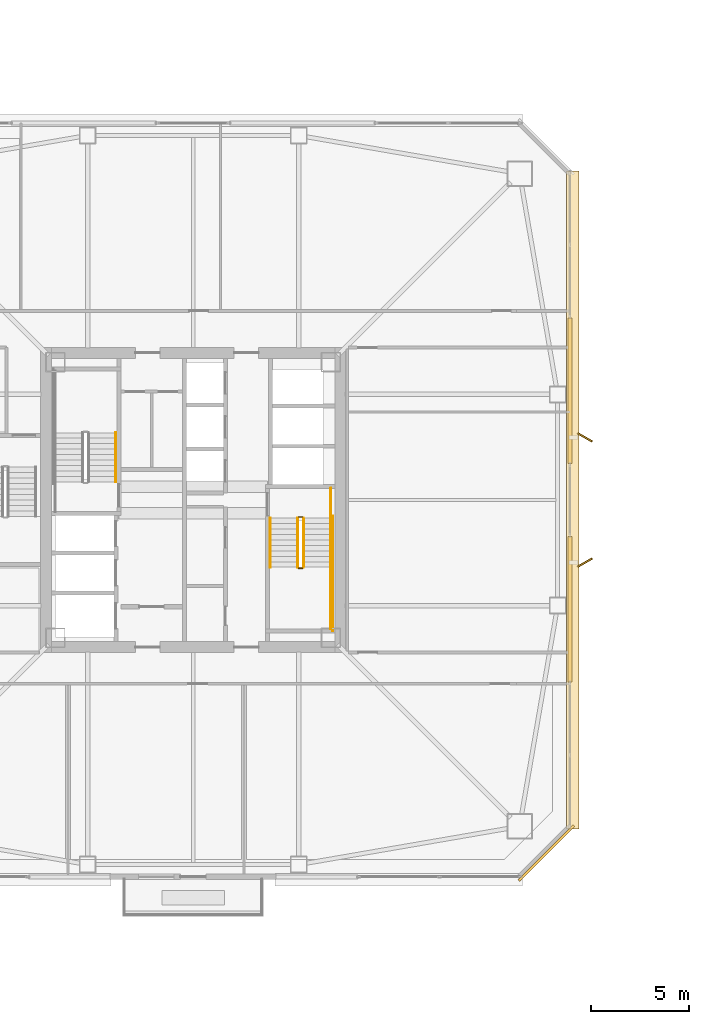
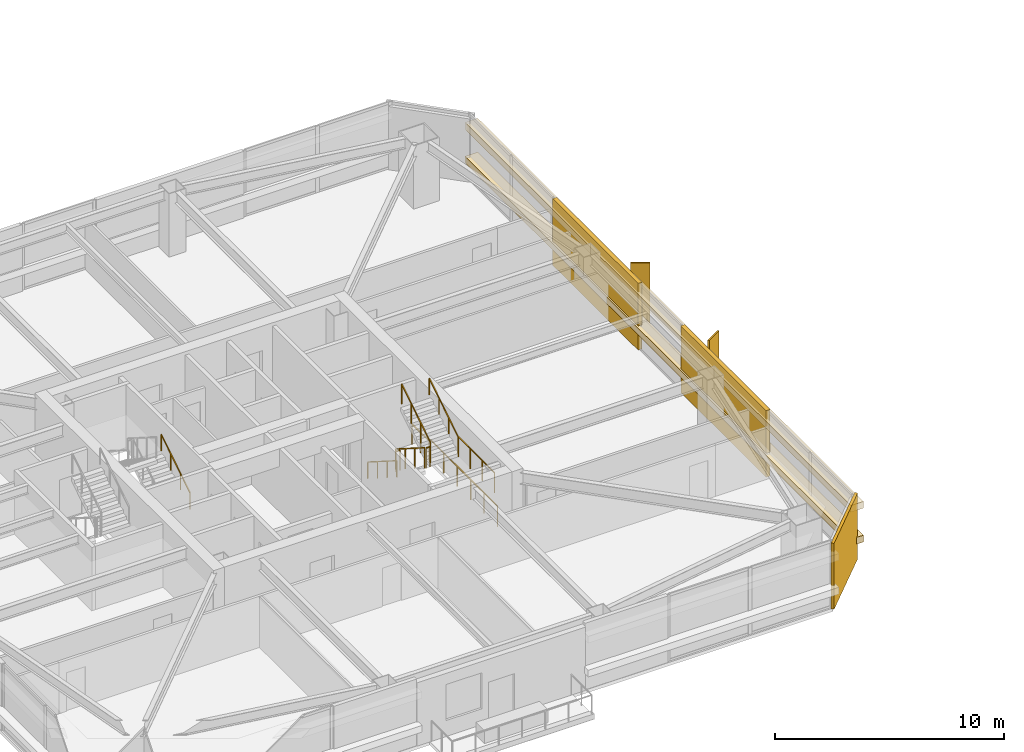
# One storey, part 44 of 48: 10 railings, 5 coverings, 2 shading devices.
"""IFC4 building model written with IfcOpenShell, lengths in metres."""

from ifc_helpers import new_model, si_unit, direction, frame, origin, origin_2d, place, context, subcontext, project, spatial, rectangle, extrude, material, layer, layer_set, type_object, element, save


model = new_model("IFC4")

# Units and contexts
model_context = context("Model", 3, precision=1e-05, world=origin(), true_north=direction((0.0, 1.0)))
body_context = subcontext(model_context, "Body", "Model", "MODEL_VIEW")
ifc_project = project(units=[si_unit("LENGTHUNIT", "METRE"), si_unit("AREAUNIT", "SQUARE_METRE"), si_unit("VOLUMEUNIT", "CUBIC_METRE"), si_unit("PLANEANGLEUNIT", "RADIAN"), si_unit("MASSUNIT", "GRAM", prefix="KILO")], contexts=[model_context])

# Site, building, storey
site_placement = place(None, origin())
site = spatial("IfcSite", under=ifc_project, at=site_placement, CompositionType="ELEMENT")
building_placement = place(site_placement, origin())
building = spatial("IfcBuilding", under=site, at=building_placement, Name="Tashvorn Skyway Center", CompositionType="ELEMENT")
storey_placement = place(building_placement, frame((0.0, 0.0, 125.050048828125)))
storey = spatial("IfcBuildingStorey", under=building, at=storey_placement, Name="L33", CompositionType="ELEMENT", Elevation=125.050048828125)

# Coverings
ifc_material_1 = material(Name="Precast concrete C40/50", Category="concrete")
ifc_layer_1 = layer(ifc_material_1, 0.199951171875)
ifc_layer_set_1 = layer_set([ifc_layer_1], Name="Precast concrete C40/50")
covering_type_1 = type_object("IfcCoveringType", Name="COV-BRACE-CLAD", PredefinedType="CLADDING", material=ifc_layer_set_1)
for number, where, z_axis, x_axis, name in (
    (1, (61.280029296875, 37.59326171875, 0.0), (0.0, 0.0, 1.0), (0.0, -1.0, 0.0), "Tower 1 L33 East Unitised Curtain Wall Mega-Brace Cladding Band 1"),
    (2, (61.280029296875, 26.40673828125, 0.0), (0.0, 0.0, 1.0), (0.0, -1.0, 0.0), "Tower 1 L33 East Unitised Curtain Wall Mega-Brace Cladding Band 2"),
):
    element("IfcCovering", number, at=place(storey_placement, frame(where, z_axis=z_axis, x_axis=x_axis)), inside=storey, type_object=covering_type_1, Name=name, PredefinedType="CLADDING", context=body_context, shape_type="SweptSolid", body=[
        extrude(rectangle(XDim=7.457763671875, YDim=0.199951171875, at=origin_2d()), origin(), (0.0, 0.0, 1.0), 3.550048828125),
    ])
ifc_material_2 = material(Name="Perforated ceramic-coated bronze aluminium solar screen", Category="aluminium")
ifc_layer_2 = layer(ifc_material_2, 0.85009765625)
ifc_layer_set_2 = layer_set([ifc_layer_2], Name="Perforated ceramic-coated bronze aluminium solar screen")
covering_type_2 = type_object("IfcCoveringType", Name="COV-SOLAR-BAND", PredefinedType="CLADDING", material=ifc_layer_set_2)
for number, where, z_axis, x_axis, name in (
    (3, (61.419921875, 32.0, 0.919921875), (0.0, 0.0, 1.0), (0.0, -1.0, 0.0), "L33 Perforated Ceramic-Metal Solar Screen Louvre Band East 1"),
    (4, (61.419921875, 32.0, 2.7197265625), (0.0, 0.0, 1.0), (0.0, -1.0, 0.0), "L33 Perforated Ceramic-Metal Solar Screen Louvre Band East 2"),
):
    element("IfcCovering", number, at=place(storey_placement, frame(where, z_axis=z_axis, x_axis=x_axis)), inside=storey, type_object=covering_type_2, Name=name, PredefinedType="CLADDING", context=body_context, shape_type="SweptSolid", body=[
        extrude(rectangle(XDim=33.679931640625, YDim=0.639892578125, at=origin_2d()), origin(), (0.0, 0.0, 1.0), 0.360107421875),
    ])
ifc_layer_3 = layer(ifc_material_1, 0.35009765625)
ifc_layer_set_3 = layer_set([ifc_layer_3], Name="Precast concrete C40/50")
covering_type_3 = type_object("IfcCoveringType", Name="COV-STONE-TRIM", PredefinedType="CLADDING", material=ifc_layer_set_3)
covering_placement = place(storey_placement, frame((60.070068359375, 13.929931640625, 0.02001953125), z_axis=(0.0, 0.0, 1.0), x_axis=(0.707106781187, 0.707106781187, 0.0)))
element("IfcCovering", 5, at=covering_placement, inside=storey, type_object=covering_type_3, Name="Tower 1 L33 SE Mojave Limestone Corner Quoin", PredefinedType="CLADDING", context=body_context, shape_type="SweptSolid", body=[
    extrude(rectangle(XDim=3.978515625, YDim=0.139892578125, at=origin_2d()), origin(), (0.0, 0.0, 1.0), 3.510009765625),
])

# Railings
ifc_material_3 = material(Name="Brushed stainless steel 316", Category="steel")
railing_type_1 = type_object("IfcRailingType", Name="RAIL-HAND-920", PredefinedType="HANDRAIL", material=ifc_material_3)
railing_1_placement = place(storey_placement, frame((38.050048828125, 32.919921875, 0.177490234375)))
element("IfcRailing", 6, at=railing_1_placement, inside=storey, type_object=railing_type_1, Name="L33 ST-T1-1 stair handrail 1", PredefinedType="HANDRAIL", context=body_context, shape_type="SweptSolid", body=[
    extrude(rectangle(XDim=0.048095703125, YDim=0.048095703125, at=origin_2d()), frame((0.0, 0.0, 0.8759765625), z_axis=(0.0, 0.84460694969, 0.535386869969), x_axis=(-1.0, 0.0, 0.0)), (0.0, 0.0, 1.0), 2.983642578125),
    extrude(rectangle(XDim=0.0419921875, YDim=0.0419921875, at=origin_2d()), origin(), (0.0, 0.0, 1.0), 0.851806640625),
    extrude(rectangle(XDim=0.0419921875, YDim=0.0419921875, at=origin_2d()), frame((0.0, 0.840087890625, 0.532470703125)), (0.0, 0.0, 1.0), 0.851806640625),
    extrude(rectangle(XDim=0.0419921875, YDim=0.0419921875, at=origin_2d()), frame((0.0, 1.679931640625, 1.06494140625)), (0.0, 0.0, 1.0), 0.851806640625),
    extrude(rectangle(XDim=0.0419921875, YDim=0.0419921875, at=origin_2d()), frame((0.0, 2.52001953125, 1.597412109375)), (0.0, 0.0, 1.0), 0.851806640625),
])
railing_2_placement = place(storey_placement, frame((45.949951171875, 31.080078125, 0.177490234375)))
element("IfcRailing", 7, at=railing_2_placement, inside=storey, type_object=railing_type_1, Name="L33 ST-T1-2 stair handrail 1", PredefinedType="HANDRAIL", context=body_context, shape_type="SweptSolid", body=[
    extrude(rectangle(XDim=0.048095703125, YDim=0.048095703125, at=origin_2d()), frame((0.0, 0.0, 0.8759765625), z_axis=(0.0, -0.84460694969, 0.535386869969), x_axis=(1.0, 0.0, 0.0)), (0.0, 0.0, 1.0), 2.983642578125),
    extrude(rectangle(XDim=0.0419921875, YDim=0.0419921875, at=origin_2d()), origin(), (0.0, 0.0, 1.0), 0.851806640625),
    extrude(rectangle(XDim=0.0419921875, YDim=0.0419921875, at=origin_2d()), frame((0.0, -0.840087890625, 0.532470703125)), (0.0, 0.0, 1.0), 0.851806640625),
    extrude(rectangle(XDim=0.0419921875, YDim=0.0419921875, at=origin_2d()), frame((0.0, -1.679931640625, 1.06494140625)), (0.0, 0.0, 1.0), 0.851806640625),
    extrude(rectangle(XDim=0.0419921875, YDim=0.0419921875, at=origin_2d()), frame((0.0, -2.52001953125, 1.597412109375)), (0.0, 0.0, 1.0), 0.851806640625),
])
railing_3_placement = place(storey_placement, frame((49.050048828125, 28.56005859375, 1.952392578125)))
element("IfcRailing", 8, at=railing_3_placement, inside=storey, type_object=railing_type_1, Name="L33 ST-T1-2 stair handrail 2", PredefinedType="HANDRAIL", context=body_context, shape_type="SweptSolid", body=[
    extrude(rectangle(XDim=0.048095703125, YDim=0.048095703125, at=origin_2d()), frame((0.0, 0.0, 0.8759765625), z_axis=(0.0, 0.84456994832, 0.535445237532), x_axis=(-1.0, 0.0, 0.0)), (0.0, 0.0, 1.0), 2.98388671875),
    extrude(rectangle(XDim=0.0419921875, YDim=0.0419921875, at=origin_2d()), origin(), (0.0, 0.0, 1.0), 0.851806640625),
    extrude(rectangle(XDim=0.0419921875, YDim=0.0419921875, at=origin_2d()), frame((0.0, 0.840087890625, 0.532470703125)), (0.0, 0.0, 1.0), 0.851806640625),
    extrude(rectangle(XDim=0.0419921875, YDim=0.0419921875, at=origin_2d()), frame((0.0, 1.679931640625, 1.065185546875)), (0.0, 0.0, 1.0), 0.851806640625),
    extrude(rectangle(XDim=0.0419921875, YDim=0.0419921875, at=origin_2d()), frame((0.0, 2.52001953125, 1.59765625)), (0.0, 0.0, 1.0), 0.851806640625),
])
ifc_material_4 = material(Name="Painted galvanized steel S355", Category="steel")
railing_type_2 = type_object("IfcRailingType", Name="RAIL-STGUARD-1100", PredefinedType="GUARDRAIL", material=ifc_material_4)
railing_4_placement = place(storey_placement, frame((47.35009765625, 31.080078125, 0.177490234375)))
element("IfcRailing", 9, at=railing_4_placement, inside=storey, type_object=railing_type_2, Name="L33 ST-T1-2 stair guard 1", PredefinedType="GUARDRAIL", context=body_context, shape_type="SweptSolid", body=[
    extrude(rectangle(XDim=0.048095703125, YDim=0.048095703125, at=origin_2d()), frame((0.0, 0.0, 1.076171875), z_axis=(0.0, -0.84460694969, 0.535386869969), x_axis=(1.0, 0.0, 0.0)), (0.0, 0.0, 1.0), 2.983642578125),
    extrude(rectangle(XDim=0.0419921875, YDim=0.0419921875, at=origin_2d()), origin(), (0.0, 0.0, 1.0), 1.052001953125),
    extrude(rectangle(XDim=0.0419921875, YDim=0.0419921875, at=origin_2d()), frame((0.0, -0.840087890625, 0.532470703125)), (0.0, 0.0, 1.0), 1.052001953125),
    extrude(rectangle(XDim=0.0419921875, YDim=0.0419921875, at=origin_2d()), frame((0.0, -1.679931640625, 1.06494140625)), (0.0, 0.0, 1.0), 1.052001953125),
    extrude(rectangle(XDim=0.0419921875, YDim=0.0419921875, at=origin_2d()), frame((0.0, -2.52001953125, 1.597412109375)), (0.0, 0.0, 1.0), 1.052001953125),
])
railing_5_placement = place(storey_placement, frame((47.39990234375, 28.510009765625, 1.77490234375)))
element("IfcRailing", 10, at=railing_5_placement, inside=storey, type_object=railing_type_2, Name="L33 ST-T1-2 stair guard 2", PredefinedType="GUARDRAIL", context=body_context, shape_type="SweptSolid", body=[
    extrude(rectangle(XDim=0.048095703125, YDim=0.048095703125, at=origin_2d()), frame((0.0, 0.0, 1.076171875), z_axis=(1.0, 0.0, 0.0), x_axis=(0.0, 1.0, 0.0)), (0.0, 0.0, 1.0), 0.2001953125),
    extrude(rectangle(XDim=0.0419921875, YDim=0.0419921875, at=origin_2d()), origin(), (0.0, 0.0, 1.0), 1.052001953125),
    extrude(rectangle(XDim=0.0419921875, YDim=0.0419921875, at=origin_2d()), frame((0.2001953125, 0.0, 0.0)), (0.0, 0.0, 1.0), 1.052001953125),
])
railing_6_placement = place(storey_placement, frame((49.050048828125, 28.56005859375, 1.77490234375)))
element("IfcRailing", 11, at=railing_6_placement, inside=storey, type_object=railing_type_2, Name="L33 ST-T1-2 stair guard 3", PredefinedType="GUARDRAIL", context=body_context, shape_type="SweptSolid", body=[
    extrude(rectangle(XDim=0.048095703125, YDim=0.048095703125, at=origin_2d()), frame((0.0, 0.0, 1.076171875), z_axis=(0.0, -1.0, 0.0), x_axis=(1.0, 0.0, 0.0)), (0.0, 0.0, 1.0), 3.16015625),
    extrude(rectangle(XDim=0.0419921875, YDim=0.0419921875, at=origin_2d()), origin(), (0.0, 0.0, 1.0), 1.052001953125),
    extrude(rectangle(XDim=0.0419921875, YDim=0.0419921875, at=origin_2d()), frame((0.0, -1.053466796875, 0.0)), (0.0, 0.0, 1.0), 1.052001953125),
    extrude(rectangle(XDim=0.0419921875, YDim=0.0419921875, at=origin_2d()), frame((0.0, -2.106689453125, 0.0)), (0.0, 0.0, 1.0), 1.052001953125),
    extrude(rectangle(XDim=0.0419921875, YDim=0.0419921875, at=origin_2d()), frame((0.0, -3.16015625, 0.0)), (0.0, 0.0, 1.0), 1.052001953125),
])
railing_7_placement = place(storey_placement, frame((47.64990234375, 28.56005859375, 1.952392578125)))
element("IfcRailing", 12, at=railing_7_placement, inside=storey, type_object=railing_type_2, Name="L33 ST-T1-2 stair guard 4", PredefinedType="GUARDRAIL", context=body_context, shape_type="SweptSolid", body=[
    extrude(rectangle(XDim=0.048095703125, YDim=0.048095703125, at=origin_2d()), frame((0.0, 0.0, 1.076171875), z_axis=(0.0, 0.84456994832, 0.535445237532), x_axis=(-1.0, 0.0, 0.0)), (0.0, 0.0, 1.0), 2.98388671875),
    extrude(rectangle(XDim=0.0419921875, YDim=0.0419921875, at=origin_2d()), origin(), (0.0, 0.0, 1.0), 1.052001953125),
    extrude(rectangle(XDim=0.0419921875, YDim=0.0419921875, at=origin_2d()), frame((0.0, 0.840087890625, 0.532470703125)), (0.0, 0.0, 1.0), 1.052001953125),
    extrude(rectangle(XDim=0.0419921875, YDim=0.0419921875, at=origin_2d()), frame((0.0, 1.679931640625, 1.065185546875)), (0.0, 0.0, 1.0), 1.052001953125),
    extrude(rectangle(XDim=0.0419921875, YDim=0.0419921875, at=origin_2d()), frame((0.0, 2.52001953125, 1.59765625)), (0.0, 0.0, 1.0), 1.052001953125),
])
railing_8_placement = place(storey_placement, frame((47.39990234375, 31.1298828125, 0.0)))
element("IfcRailing", 13, at=railing_8_placement, inside=storey, type_object=railing_type_2, Name="L33 ST-T1-2 stair guard 5", PredefinedType="GUARDRAIL", context=body_context, shape_type="SweptSolid", body=[
    extrude(rectangle(XDim=0.048095703125, YDim=0.048095703125, at=origin_2d()), frame((0.0, 0.0, 1.076171875), z_axis=(1.0, 0.0, 0.0), x_axis=(0.0, 1.0, 0.0)), (0.0, 0.0, 1.0), 0.2001953125),
    extrude(rectangle(XDim=0.0419921875, YDim=0.0419921875, at=origin_2d()), origin(), (0.0, 0.0, 1.0), 1.052001953125),
    extrude(rectangle(XDim=0.0419921875, YDim=0.0419921875, at=origin_2d()), frame((0.2001953125, 0.0, 0.0)), (0.0, 0.0, 1.0), 1.052001953125),
])
railing_9_placement = place(storey_placement, frame((49.050048828125, 32.60009765625, 0.0)))
element("IfcRailing", 14, at=railing_9_placement, inside=storey, type_object=railing_type_2, Name="L33 ST-T1-2 stair guard 6", PredefinedType="GUARDRAIL", context=body_context, shape_type="SweptSolid", body=[
    extrude(rectangle(XDim=0.048095703125, YDim=0.048095703125, at=origin_2d()), frame((0.0, 0.0, 1.076171875), z_axis=(0.0, -1.0, 0.0), x_axis=(1.0, 0.0, 0.0)), (0.0, 0.0, 1.0), 1.52001953125),
    extrude(rectangle(XDim=0.0419921875, YDim=0.0419921875, at=origin_2d()), origin(), (0.0, 0.0, 1.0), 1.052001953125),
    extrude(rectangle(XDim=0.0419921875, YDim=0.0419921875, at=origin_2d()), frame((0.0, -0.760009765625, 0.0)), (0.0, 0.0, 1.0), 1.052001953125),
    extrude(rectangle(XDim=0.0419921875, YDim=0.0419921875, at=origin_2d()), frame((0.0, -1.52001953125, 0.0)), (0.0, 0.0, 1.0), 1.052001953125),
])
railing_10_placement = place(storey_placement, frame((49.14990234375, 31.179931640625, 0.0)))
element("IfcRailing", 15, at=railing_10_placement, inside=storey, type_object=railing_type_2, Name="L33 ST-T1-2 stair guard 7", PredefinedType="GUARDRAIL", context=body_context, shape_type="SweptSolid", body=[
    extrude(rectangle(XDim=0.048095703125, YDim=0.048095703125, at=origin_2d()), frame((0.0, 0.0, 1.076171875), z_axis=(0.0, -1.0, 0.0), x_axis=(1.0, 0.0, 0.0)), (0.0, 0.0, 1.0), 5.8798828125),
    extrude(rectangle(XDim=0.0419921875, YDim=0.0419921875, at=origin_2d()), origin(), (0.0, 0.0, 1.0), 1.052001953125),
    extrude(rectangle(XDim=0.0419921875, YDim=0.0419921875, at=origin_2d()), frame((0.0, -1.176025390625, 0.0)), (0.0, 0.0, 1.0), 1.052001953125),
    extrude(rectangle(XDim=0.0419921875, YDim=0.0419921875, at=origin_2d()), frame((0.0, -2.35205078125, 0.0)), (0.0, 0.0, 1.0), 1.052001953125),
    extrude(rectangle(XDim=0.0419921875, YDim=0.0419921875, at=origin_2d()), frame((0.0, -3.52783203125, 0.0)), (0.0, 0.0, 1.0), 1.052001953125),
    extrude(rectangle(XDim=0.0419921875, YDim=0.0419921875, at=origin_2d()), frame((0.0, -4.703857421875, 0.0)), (0.0, 0.0, 1.0), 1.052001953125),
    extrude(rectangle(XDim=0.0419921875, YDim=0.0419921875, at=origin_2d()), frame((0.0, -5.8798828125, 0.0)), (0.0, 0.0, 1.0), 1.052001953125),
])

# Shading devices
ifc_layer_4 = layer(ifc_material_2, 0.06005859375)
ifc_layer_set_4 = layer_set([ifc_layer_4], Name="Perforated ceramic-coated bronze aluminium solar screen")
shading_device_type = type_object("IfcShadingDeviceType", Name="SHD-SOLAR-850", PredefinedType="USERDEFINED", material=ifc_layer_set_4)
for number, where, z_axis, x_axis, name in (
    (16, (62.050048828125, 28.800048828125, -0.10009765625), (0.0, 0.0, 1.0), (0.5, -0.866025403784, 0.0), "Tower 1 L33 Perforated Ceramic-Metal Solar Screen E1"),
    (17, (62.050048828125, 35.199951171875, -0.10009765625), (0.0, 0.0, 1.0), (-0.5, -0.866025403784, 0.0), "Tower 1 L33 Perforated Ceramic-Metal Solar Screen E2"),
):
    element("IfcShadingDevice", number, at=place(storey_placement, frame(where, z_axis=z_axis, x_axis=x_axis)), inside=storey, type_object=shading_device_type, Name=name, ObjectType="SCREEN", PredefinedType="USERDEFINED", context=body_context, shape_type="SweptSolid", body=[
        extrude(rectangle(XDim=0.080078125, YDim=0.85009765625, at=origin_2d()), origin(), (0.0, 0.0, 1.0), 3.64990234375),
    ])

save(model, "model.ifc")
